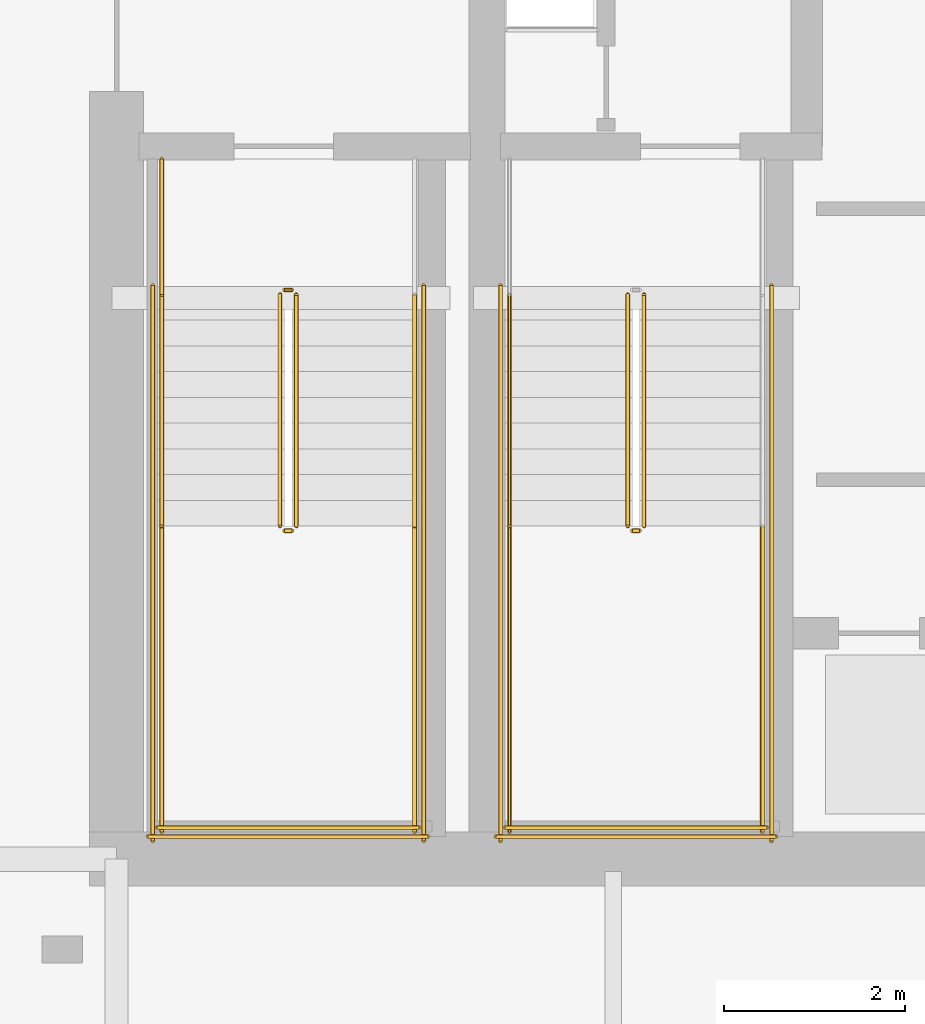
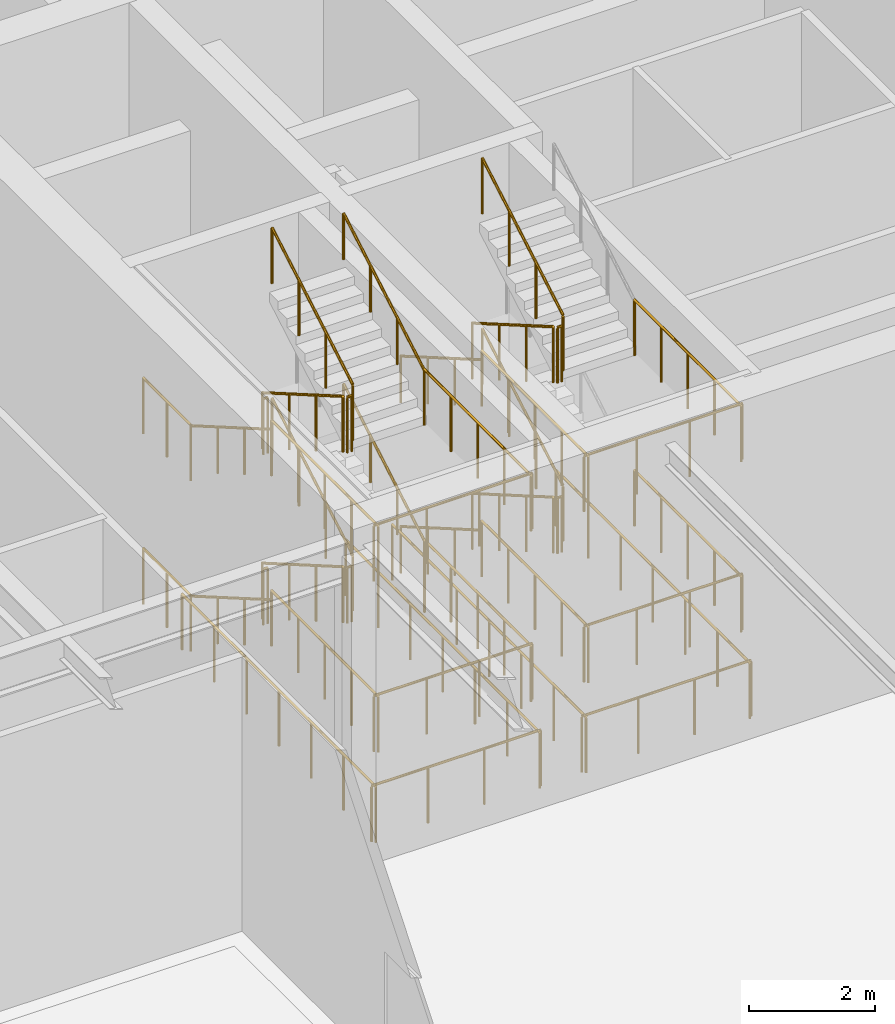
# One storey, part 10 of 15: 40 railings.
"""IFC4 building model written with IfcOpenShell, lengths in metres."""

from ifc_helpers import new_model, si_unit, direction, frame, origin, origin_2d, place, context, subcontext, project, spatial, circle, extrude, material, type_object, element, save


model = new_model("IFC4")

# Units and contexts
model_context = context("Model", 3, precision=1e-05, world=origin(), true_north=direction((0.0, 1.0)))
body_context = subcontext(model_context, "Body", "Model", "MODEL_VIEW")
ifc_project = project(units=[si_unit("LENGTHUNIT", "METRE"), si_unit("AREAUNIT", "SQUARE_METRE"), si_unit("VOLUMEUNIT", "CUBIC_METRE"), si_unit("PLANEANGLEUNIT", "RADIAN"), si_unit("MASSUNIT", "GRAM", prefix="KILO")], contexts=[model_context])

# Site, building, storey
site_placement = place(None, origin())
site = spatial("IfcSite", under=ifc_project, at=site_placement, CompositionType="ELEMENT")
building_placement = place(site_placement, origin())
building = spatial("IfcBuilding", under=site, at=building_placement, Name="Bramvorn Convention Spire", CompositionType="ELEMENT")
storey_placement = place(building_placement, origin())
storey = spatial("IfcBuildingStorey", under=building, at=storey_placement, Name="L00", CompositionType="ELEMENT", Elevation=0.0)

# Railings
ifc_material_1 = material(Name="Painted Steel Balustrade & Guardrail", Category="steel")
railing_type_1 = type_object("IfcRailingType", Name="RL-STAIR-GUARD-1100", PredefinedType="GUARDRAIL", material=ifc_material_1)
railing_1_placement = place(storey_placement, frame((28.81005859375, 25.050048828125, 0.1650390625)))
element("IfcRailing", 1, at=railing_1_placement, inside=storey, type_object=railing_type_1, Name="L00 ST1 stair guard 1", PredefinedType="GUARDRAIL", context=body_context, shape_type="SweptSolid", body=[
    extrude(circle(Radius=0.02392578125, at=origin_2d()), frame((0.0, 0.0, 1.076171875), z_axis=(0.0, -0.865441324677, 0.50101029285), x_axis=(1.0, 0.0, 0.0)), (0.0, 0.0, 1.0), 2.963623046875),
    extrude(circle(Radius=0.02099609375, at=origin_2d()), origin(), (0.0, 0.0, 1.0), 1.052001953125),
    extrude(circle(Radius=0.02099609375, at=origin_2d()), frame((0.0, -0.85498046875, 0.494873046875)), (0.0, 0.0, 1.0), 1.052001953125),
    extrude(circle(Radius=0.02099609375, at=origin_2d()), frame((0.0, -1.7099609375, 0.989990234375)), (0.0, 0.0, 1.0), 1.052001953125),
    extrude(circle(Radius=0.02099609375, at=origin_2d()), frame((0.0, -2.56494140625, 1.48486328125)), (0.0, 0.0, 1.0), 1.052001953125),
])
railing_2_placement = place(storey_placement, frame((28.860107421875, 22.43505859375, 1.64990234375)))
element("IfcRailing", 2, at=railing_2_placement, inside=storey, type_object=railing_type_1, Name="L00 ST1 stair guard 2", PredefinedType="GUARDRAIL", context=body_context, shape_type="SweptSolid", body=[
    extrude(circle(Radius=0.02392578125, at=origin_2d()), frame((0.0, 0.0, 1.076171875), z_axis=(1.0, 0.0, 0.0), x_axis=(0.0, 1.0, 0.0)), (0.0, 0.0, 1.0), 0.079833984375),
    extrude(circle(Radius=0.02099609375, at=origin_2d()), origin(), (0.0, 0.0, 1.0), 1.052001953125),
    extrude(circle(Radius=0.02099609375, at=origin_2d()), frame((0.079833984375, 0.0, 0.0)), (0.0, 0.0, 1.0), 1.052001953125),
])
for number, where, name in (
    (3, (27.5, 22.485107421875, 1.64990234375), "L00 ST1 stair guard 3"),
    (4, (30.300048828125, 22.485107421875, 1.64990234375), "L00 ST1 stair guard 4"),
):
    element("IfcRailing", number, at=place(storey_placement, frame(where)), inside=storey, type_object=railing_type_1, Name=name, PredefinedType="GUARDRAIL", context=body_context, shape_type="SweptSolid", body=[
        extrude(circle(Radius=0.02392578125, at=origin_2d()), frame((0.0, 0.0, 1.076171875), z_axis=(0.0, -1.0, 0.0), x_axis=(1.0, 0.0, 0.0)), (0.0, 0.0, 1.0), 3.385009765625),
        extrude(circle(Radius=0.02099609375, at=origin_2d()), origin(), (0.0, 0.0, 1.0), 1.052001953125),
        extrude(circle(Radius=0.02099609375, at=origin_2d()), frame((0.0, -0.84619140625, 0.0)), (0.0, 0.0, 1.0), 1.052001953125),
        extrude(circle(Radius=0.02099609375, at=origin_2d()), frame((0.0, -1.6923828125, 0.0)), (0.0, 0.0, 1.0), 1.052001953125),
        extrude(circle(Radius=0.02099609375, at=origin_2d()), frame((0.0, -2.538818359375, 0.0)), (0.0, 0.0, 1.0), 1.052001953125),
        extrude(circle(Radius=0.02099609375, at=origin_2d()), frame((0.0, -3.385009765625, 0.0)), (0.0, 0.0, 1.0), 1.052001953125),
    ])
railing_3_placement = place(storey_placement, frame((27.449951171875, 19.14990234375, 1.64990234375)))
element("IfcRailing", 5, at=railing_3_placement, inside=storey, type_object=railing_type_1, Name="L00 ST1 stair guard 5", PredefinedType="GUARDRAIL", context=body_context, shape_type="SweptSolid", body=[
    extrude(circle(Radius=0.02392578125, at=origin_2d()), frame((0.0, 0.0, 1.076171875), z_axis=(1.0, 0.0, 0.0), x_axis=(0.0, 1.0, 0.0)), (0.0, 0.0, 1.0), 2.900146484375),
    extrude(circle(Radius=0.02099609375, at=origin_2d()), origin(), (0.0, 0.0, 1.0), 1.052001953125),
    extrude(circle(Radius=0.02099609375, at=origin_2d()), frame((0.966796875, 0.0, 0.0)), (0.0, 0.0, 1.0), 1.052001953125),
    extrude(circle(Radius=0.02099609375, at=origin_2d()), frame((1.933349609375, 0.0, 0.0)), (0.0, 0.0, 1.0), 1.052001953125),
    extrude(circle(Radius=0.02099609375, at=origin_2d()), frame((2.900146484375, 0.0, 0.0)), (0.0, 0.0, 1.0), 1.052001953125),
])
railing_4_placement = place(storey_placement, frame((28.989990234375, 22.485107421875, 1.81494140625)))
element("IfcRailing", 6, at=railing_4_placement, inside=storey, type_object=railing_type_1, Name="L00 ST1 stair guard 6", PredefinedType="GUARDRAIL", context=body_context, shape_type="SweptSolid", body=[
    extrude(circle(Radius=0.02392578125, at=origin_2d()), frame((0.0, 0.0, 1.076171875), z_axis=(0.0, 0.865405606168, 0.501071987656), x_axis=(-1.0, 0.0, 0.0)), (0.0, 0.0, 1.0), 2.9638671875),
    extrude(circle(Radius=0.02099609375, at=origin_2d()), origin(), (0.0, 0.0, 1.0), 1.052001953125),
    extrude(circle(Radius=0.02099609375, at=origin_2d()), frame((0.0, 0.85498046875, 0.4951171875)), (0.0, 0.0, 1.0), 1.052001953125),
    extrude(circle(Radius=0.02099609375, at=origin_2d()), frame((0.0, 1.7099609375, 0.989990234375)), (0.0, 0.0, 1.0), 1.052001953125),
    extrude(circle(Radius=0.02099609375, at=origin_2d()), frame((0.0, 2.56494140625, 1.485107421875)), (0.0, 0.0, 1.0), 1.052001953125),
])
railing_5_placement = place(storey_placement, frame((28.860107421875, 25.10009765625, 3.300048828125)))
element("IfcRailing", 7, at=railing_5_placement, inside=storey, type_object=railing_type_1, Name="L00 ST1 stair guard 7", PredefinedType="GUARDRAIL", context=body_context, shape_type="SweptSolid", body=[
    extrude(circle(Radius=0.02392578125, at=origin_2d()), frame((0.0, 0.0, 1.076171875), z_axis=(1.0, 0.0, 0.0), x_axis=(0.0, 1.0, 0.0)), (0.0, 0.0, 1.0), 0.079833984375),
    extrude(circle(Radius=0.02099609375, at=origin_2d()), origin(), (0.0, 0.0, 1.0), 1.052001953125),
    extrude(circle(Radius=0.02099609375, at=origin_2d()), frame((0.079833984375, 0.0, 0.0)), (0.0, 0.0, 1.0), 1.052001953125),
])
railing_6_placement = place(storey_placement, frame((27.5, 26.550048828125, 3.300048828125)))
element("IfcRailing", 8, at=railing_6_placement, inside=storey, type_object=railing_type_1, Name="L00 ST1 stair guard 8", PredefinedType="GUARDRAIL", context=body_context, shape_type="SweptSolid", body=[
    extrude(circle(Radius=0.02392578125, at=origin_2d()), frame((0.0, 0.0, 1.076171875), z_axis=(0.0, -1.0, 0.0), x_axis=(1.0, 0.0, 0.0)), (0.0, 0.0, 1.0), 1.5),
    extrude(circle(Radius=0.02099609375, at=origin_2d()), origin(), (0.0, 0.0, 1.0), 1.052001953125),
    extrude(circle(Radius=0.02099609375, at=origin_2d()), frame((0.0, -0.75, 0.0)), (0.0, 0.0, 1.0), 1.052001953125),
    extrude(circle(Radius=0.02099609375, at=origin_2d()), frame((0.0, -1.5, 0.0)), (0.0, 0.0, 1.0), 1.052001953125),
])
railing_7_placement = place(storey_placement, frame((28.81005859375, 25.050048828125, 3.465087890625)))
element("IfcRailing", 9, at=railing_7_placement, inside=storey, type_object=railing_type_1, Name="L00 ST1 stair guard 10", PredefinedType="GUARDRAIL", context=body_context, shape_type="SweptSolid", body=[
    extrude(circle(Radius=0.02392578125, at=origin_2d()), frame((0.0, 0.0, 1.076171875), z_axis=(0.0, -0.865441324677, 0.50101029285), x_axis=(1.0, 0.0, 0.0)), (0.0, 0.0, 1.0), 2.963623046875),
    extrude(circle(Radius=0.02099609375, at=origin_2d()), origin(), (0.0, 0.0, 1.0), 1.052001953125),
    extrude(circle(Radius=0.02099609375, at=origin_2d()), frame((0.0, -0.85498046875, 0.494873046875)), (0.0, 0.0, 1.0), 1.052001953125),
    extrude(circle(Radius=0.02099609375, at=origin_2d()), frame((0.0, -1.7099609375, 0.989990234375)), (0.0, 0.0, 1.0), 1.052001953125),
    extrude(circle(Radius=0.02099609375, at=origin_2d()), frame((0.0, -2.56494140625, 1.48486328125)), (0.0, 0.0, 1.0), 1.052001953125),
])
railing_8_placement = place(storey_placement, frame((28.860107421875, 22.43505859375, 4.949951171875)))
element("IfcRailing", 10, at=railing_8_placement, inside=storey, type_object=railing_type_1, Name="L00 ST1 stair guard 11", PredefinedType="GUARDRAIL", context=body_context, shape_type="SweptSolid", body=[
    extrude(circle(Radius=0.02392578125, at=origin_2d()), frame((0.0, 0.0, 1.076171875), z_axis=(1.0, 0.0, 0.0), x_axis=(0.0, 1.0, 0.0)), (0.0, 0.0, 1.0), 0.079833984375),
    extrude(circle(Radius=0.02099609375, at=origin_2d()), origin(), (0.0, 0.0, 1.0), 1.052001953125),
    extrude(circle(Radius=0.02099609375, at=origin_2d()), frame((0.079833984375, 0.0, 0.0)), (0.0, 0.0, 1.0), 1.052001953125),
])
for number, where, name in (
    (11, (27.5, 22.485107421875, 4.949951171875), "L00 ST1 stair guard 12"),
    (12, (30.300048828125, 22.485107421875, 4.949951171875), "L00 ST1 stair guard 13"),
):
    element("IfcRailing", number, at=place(storey_placement, frame(where)), inside=storey, type_object=railing_type_1, Name=name, PredefinedType="GUARDRAIL", context=body_context, shape_type="SweptSolid", body=[
        extrude(circle(Radius=0.02392578125, at=origin_2d()), frame((0.0, 0.0, 1.076171875), z_axis=(0.0, -1.0, 0.0), x_axis=(1.0, 0.0, 0.0)), (0.0, 0.0, 1.0), 3.385009765625),
        extrude(circle(Radius=0.02099609375, at=origin_2d()), origin(), (0.0, 0.0, 1.0), 1.052001953125),
        extrude(circle(Radius=0.02099609375, at=origin_2d()), frame((0.0, -0.84619140625, 0.0)), (0.0, 0.0, 1.0), 1.052001953125),
        extrude(circle(Radius=0.02099609375, at=origin_2d()), frame((0.0, -1.6923828125, 0.0)), (0.0, 0.0, 1.0), 1.052001953125),
        extrude(circle(Radius=0.02099609375, at=origin_2d()), frame((0.0, -2.538818359375, 0.0)), (0.0, 0.0, 1.0), 1.052001953125),
        extrude(circle(Radius=0.02099609375, at=origin_2d()), frame((0.0, -3.385009765625, 0.0)), (0.0, 0.0, 1.0), 1.052001953125),
    ])
railing_9_placement = place(storey_placement, frame((27.449951171875, 19.14990234375, 4.949951171875)))
element("IfcRailing", 13, at=railing_9_placement, inside=storey, type_object=railing_type_1, Name="L00 ST1 stair guard 14", PredefinedType="GUARDRAIL", context=body_context, shape_type="SweptSolid", body=[
    extrude(circle(Radius=0.02392578125, at=origin_2d()), frame((0.0, 0.0, 1.076171875), z_axis=(1.0, 0.0, 0.0), x_axis=(0.0, 1.0, 0.0)), (0.0, 0.0, 1.0), 2.900146484375),
    extrude(circle(Radius=0.02099609375, at=origin_2d()), origin(), (0.0, 0.0, 1.0), 1.052001953125),
    extrude(circle(Radius=0.02099609375, at=origin_2d()), frame((0.966796875, 0.0, 0.0)), (0.0, 0.0, 1.0), 1.052001953125),
    extrude(circle(Radius=0.02099609375, at=origin_2d()), frame((1.933349609375, 0.0, 0.0)), (0.0, 0.0, 1.0), 1.052001953125),
    extrude(circle(Radius=0.02099609375, at=origin_2d()), frame((2.900146484375, 0.0, 0.0)), (0.0, 0.0, 1.0), 1.052001953125),
])
railing_10_placement = place(storey_placement, frame((28.989990234375, 22.485107421875, 5.114990234375)))
element("IfcRailing", 14, at=railing_10_placement, inside=storey, type_object=railing_type_1, Name="L00 ST1 stair guard 15", PredefinedType="GUARDRAIL", context=body_context, shape_type="SweptSolid", body=[
    extrude(circle(Radius=0.02392578125, at=origin_2d()), frame((0.0, 0.0, 1.076171875), z_axis=(0.0, 0.865405606168, 0.501071987656), x_axis=(-1.0, 0.0, 0.0)), (0.0, 0.0, 1.0), 2.9638671875),
    extrude(circle(Radius=0.02099609375, at=origin_2d()), origin(), (0.0, 0.0, 1.0), 1.052001953125),
    extrude(circle(Radius=0.02099609375, at=origin_2d()), frame((0.0, 0.85498046875, 0.4951171875)), (0.0, 0.0, 1.0), 1.052001953125),
    extrude(circle(Radius=0.02099609375, at=origin_2d()), frame((0.0, 1.7099609375, 0.989990234375)), (0.0, 0.0, 1.0), 1.052001953125),
    extrude(circle(Radius=0.02099609375, at=origin_2d()), frame((0.0, 2.56494140625, 1.485107421875)), (0.0, 0.0, 1.0), 1.052001953125),
])
railing_11_placement = place(storey_placement, frame((28.860107421875, 25.10009765625, 0.0)))
element("IfcRailing", 15, at=railing_11_placement, inside=storey, type_object=railing_type_1, Name="L00 ST1 stair guard 16", PredefinedType="GUARDRAIL", context=body_context, shape_type="SweptSolid", body=[
    extrude(circle(Radius=0.02392578125, at=origin_2d()), frame((0.0, 0.0, 1.076171875), z_axis=(1.0, 0.0, 0.0), x_axis=(0.0, 1.0, 0.0)), (0.0, 0.0, 1.0), 0.079833984375),
    extrude(circle(Radius=0.02099609375, at=origin_2d()), origin(), (0.0, 0.0, 1.0), 1.052001953125),
    extrude(circle(Radius=0.02099609375, at=origin_2d()), frame((0.079833984375, 0.0, 0.0)), (0.0, 0.0, 1.0), 1.052001953125),
])
railing_12_placement = place(storey_placement, frame((27.5, 26.550048828125, 0.0)))
element("IfcRailing", 16, at=railing_12_placement, inside=storey, type_object=railing_type_1, Name="L00 ST1 stair guard 17", PredefinedType="GUARDRAIL", context=body_context, shape_type="SweptSolid", body=[
    extrude(circle(Radius=0.02392578125, at=origin_2d()), frame((0.0, 0.0, 1.076171875), z_axis=(0.0, -1.0, 0.0), x_axis=(1.0, 0.0, 0.0)), (0.0, 0.0, 1.0), 1.5),
    extrude(circle(Radius=0.02099609375, at=origin_2d()), origin(), (0.0, 0.0, 1.0), 1.052001953125),
    extrude(circle(Radius=0.02099609375, at=origin_2d()), frame((0.0, -0.75, 0.0)), (0.0, 0.0, 1.0), 1.052001953125),
    extrude(circle(Radius=0.02099609375, at=origin_2d()), frame((0.0, -1.5, 0.0)), (0.0, 0.0, 1.0), 1.052001953125),
])
for number, where, name in (
    (17, (27.39990234375, 25.14990234375, 0.0), "L00 ST1 stair guard 19"),
    (18, (30.39990234375, 25.14990234375, 0.0), "L00 ST1 stair guard 20"),
):
    element("IfcRailing", number, at=place(storey_placement, frame(where)), inside=storey, type_object=railing_type_1, Name=name, PredefinedType="GUARDRAIL", context=body_context, shape_type="SweptSolid", body=[
        extrude(circle(Radius=0.02392578125, at=origin_2d()), frame((0.0, 0.0, 1.076171875), z_axis=(0.0, -1.0, 0.0), x_axis=(1.0, 0.0, 0.0)), (0.0, 0.0, 1.0), 6.14990234375),
        extrude(circle(Radius=0.02099609375, at=origin_2d()), origin(), (0.0, 0.0, 1.0), 1.052001953125),
        extrude(circle(Radius=0.02099609375, at=origin_2d()), frame((0.0, -1.02490234375, 0.0)), (0.0, 0.0, 1.0), 1.052001953125),
        extrude(circle(Radius=0.02099609375, at=origin_2d()), frame((0.0, -2.050048828125, 0.0)), (0.0, 0.0, 1.0), 1.052001953125),
        extrude(circle(Radius=0.02099609375, at=origin_2d()), frame((0.0, -3.074951171875, 0.0)), (0.0, 0.0, 1.0), 1.052001953125),
        extrude(circle(Radius=0.02099609375, at=origin_2d()), frame((0.0, -4.099853515625, 0.0)), (0.0, 0.0, 1.0), 1.052001953125),
        extrude(circle(Radius=0.02099609375, at=origin_2d()), frame((0.0, -5.125, 0.0)), (0.0, 0.0, 1.0), 1.052001953125),
        extrude(circle(Radius=0.02099609375, at=origin_2d()), frame((0.0, -6.14990234375, 0.0)), (0.0, 0.0, 1.0), 1.052001953125),
    ])
railing_13_placement = place(storey_placement, frame((27.35009765625, 19.050048828125, 0.0)))
element("IfcRailing", 19, at=railing_13_placement, inside=storey, type_object=railing_type_1, Name="L00 ST1 stair guard 21", PredefinedType="GUARDRAIL", context=body_context, shape_type="SweptSolid", body=[
    extrude(circle(Radius=0.02392578125, at=origin_2d()), frame((0.0, 0.0, 1.076171875), z_axis=(1.0, 0.0, 0.0), x_axis=(0.0, 1.0, 0.0)), (0.0, 0.0, 1.0), 3.099853515625),
    extrude(circle(Radius=0.02099609375, at=origin_2d()), origin(), (0.0, 0.0, 1.0), 1.052001953125),
    extrude(circle(Radius=0.02099609375, at=origin_2d()), frame((1.033203125, 0.0, 0.0)), (0.0, 0.0, 1.0), 1.052001953125),
    extrude(circle(Radius=0.02099609375, at=origin_2d()), frame((2.066650390625, 0.0, 0.0)), (0.0, 0.0, 1.0), 1.052001953125),
    extrude(circle(Radius=0.02099609375, at=origin_2d()), frame((3.099853515625, 0.0, 0.0)), (0.0, 0.0, 1.0), 1.052001953125),
])
railing_14_placement = place(storey_placement, frame((32.659912109375, 25.050048828125, 0.1650390625)))
element("IfcRailing", 20, at=railing_14_placement, inside=storey, type_object=railing_type_1, Name="L00 ST3 stair guard 1", PredefinedType="GUARDRAIL", context=body_context, shape_type="SweptSolid", body=[
    extrude(circle(Radius=0.02392578125, at=origin_2d()), frame((0.0, 0.0, 1.076171875), z_axis=(0.0, -0.865441324677, 0.50101029285), x_axis=(1.0, 0.0, 0.0)), (0.0, 0.0, 1.0), 2.963623046875),
    extrude(circle(Radius=0.02099609375, at=origin_2d()), origin(), (0.0, 0.0, 1.0), 1.052001953125),
    extrude(circle(Radius=0.02099609375, at=origin_2d()), frame((0.0, -0.85498046875, 0.494873046875)), (0.0, 0.0, 1.0), 1.052001953125),
    extrude(circle(Radius=0.02099609375, at=origin_2d()), frame((0.0, -1.7099609375, 0.989990234375)), (0.0, 0.0, 1.0), 1.052001953125),
    extrude(circle(Radius=0.02099609375, at=origin_2d()), frame((0.0, -2.56494140625, 1.48486328125)), (0.0, 0.0, 1.0), 1.052001953125),
])
railing_15_placement = place(storey_placement, frame((32.7099609375, 22.43505859375, 1.64990234375)))
element("IfcRailing", 21, at=railing_15_placement, inside=storey, type_object=railing_type_1, Name="L00 ST3 stair guard 2", PredefinedType="GUARDRAIL", context=body_context, shape_type="SweptSolid", body=[
    extrude(circle(Radius=0.02392578125, at=origin_2d()), frame((0.0, 0.0, 1.076171875), z_axis=(1.0, 0.0, 0.0), x_axis=(0.0, 1.0, 0.0)), (0.0, 0.0, 1.0), 0.080078125),
    extrude(circle(Radius=0.02099609375, at=origin_2d()), origin(), (0.0, 0.0, 1.0), 1.052001953125),
    extrude(circle(Radius=0.02099609375, at=origin_2d()), frame((0.080078125, 0.0, 0.0)), (0.0, 0.0, 1.0), 1.052001953125),
])
for number, where, name in (
    (22, (31.35009765625, 22.485107421875, 1.64990234375), "L00 ST3 stair guard 3"),
    (23, (34.14990234375, 22.485107421875, 1.64990234375), "L00 ST3 stair guard 4"),
):
    element("IfcRailing", number, at=place(storey_placement, frame(where)), inside=storey, type_object=railing_type_1, Name=name, PredefinedType="GUARDRAIL", context=body_context, shape_type="SweptSolid", body=[
        extrude(circle(Radius=0.02392578125, at=origin_2d()), frame((0.0, 0.0, 1.076171875), z_axis=(0.0, -1.0, 0.0), x_axis=(1.0, 0.0, 0.0)), (0.0, 0.0, 1.0), 3.385009765625),
        extrude(circle(Radius=0.02099609375, at=origin_2d()), origin(), (0.0, 0.0, 1.0), 1.052001953125),
        extrude(circle(Radius=0.02099609375, at=origin_2d()), frame((0.0, -0.84619140625, 0.0)), (0.0, 0.0, 1.0), 1.052001953125),
        extrude(circle(Radius=0.02099609375, at=origin_2d()), frame((0.0, -1.6923828125, 0.0)), (0.0, 0.0, 1.0), 1.052001953125),
        extrude(circle(Radius=0.02099609375, at=origin_2d()), frame((0.0, -2.538818359375, 0.0)), (0.0, 0.0, 1.0), 1.052001953125),
        extrude(circle(Radius=0.02099609375, at=origin_2d()), frame((0.0, -3.385009765625, 0.0)), (0.0, 0.0, 1.0), 1.052001953125),
    ])
railing_16_placement = place(storey_placement, frame((31.300048828125, 19.14990234375, 1.64990234375)))
element("IfcRailing", 24, at=railing_16_placement, inside=storey, type_object=railing_type_1, Name="L00 ST3 stair guard 5", PredefinedType="GUARDRAIL", context=body_context, shape_type="SweptSolid", body=[
    extrude(circle(Radius=0.02392578125, at=origin_2d()), frame((0.0, 0.0, 1.076171875), z_axis=(1.0, 0.0, 0.0), x_axis=(0.0, 1.0, 0.0)), (0.0, 0.0, 1.0), 2.89990234375),
    extrude(circle(Radius=0.02099609375, at=origin_2d()), origin(), (0.0, 0.0, 1.0), 1.052001953125),
    extrude(circle(Radius=0.02099609375, at=origin_2d()), frame((0.966552734375, 0.0, 0.0)), (0.0, 0.0, 1.0), 1.052001953125),
    extrude(circle(Radius=0.02099609375, at=origin_2d()), frame((1.933349609375, 0.0, 0.0)), (0.0, 0.0, 1.0), 1.052001953125),
    extrude(circle(Radius=0.02099609375, at=origin_2d()), frame((2.89990234375, 0.0, 0.0)), (0.0, 0.0, 1.0), 1.052001953125),
])
railing_17_placement = place(storey_placement, frame((32.840087890625, 22.485107421875, 1.81494140625)))
element("IfcRailing", 25, at=railing_17_placement, inside=storey, type_object=railing_type_1, Name="L00 ST3 stair guard 6", PredefinedType="GUARDRAIL", context=body_context, shape_type="SweptSolid", body=[
    extrude(circle(Radius=0.02392578125, at=origin_2d()), frame((0.0, 0.0, 1.076171875), z_axis=(0.0, 0.865405606168, 0.501071987656), x_axis=(-1.0, 0.0, 0.0)), (0.0, 0.0, 1.0), 2.9638671875),
    extrude(circle(Radius=0.02099609375, at=origin_2d()), origin(), (0.0, 0.0, 1.0), 1.052001953125),
    extrude(circle(Radius=0.02099609375, at=origin_2d()), frame((0.0, 0.85498046875, 0.4951171875)), (0.0, 0.0, 1.0), 1.052001953125),
    extrude(circle(Radius=0.02099609375, at=origin_2d()), frame((0.0, 1.7099609375, 0.989990234375)), (0.0, 0.0, 1.0), 1.052001953125),
    extrude(circle(Radius=0.02099609375, at=origin_2d()), frame((0.0, 2.56494140625, 1.485107421875)), (0.0, 0.0, 1.0), 1.052001953125),
])
railing_18_placement = place(storey_placement, frame((32.659912109375, 25.050048828125, 3.465087890625)))
element("IfcRailing", 26, at=railing_18_placement, inside=storey, type_object=railing_type_1, Name="L00 ST3 stair guard 10", PredefinedType="GUARDRAIL", context=body_context, shape_type="SweptSolid", body=[
    extrude(circle(Radius=0.02392578125, at=origin_2d()), frame((0.0, 0.0, 1.076171875), z_axis=(0.0, -0.865441324677, 0.50101029285), x_axis=(1.0, 0.0, 0.0)), (0.0, 0.0, 1.0), 2.963623046875),
    extrude(circle(Radius=0.02099609375, at=origin_2d()), origin(), (0.0, 0.0, 1.0), 1.052001953125),
    extrude(circle(Radius=0.02099609375, at=origin_2d()), frame((0.0, -0.85498046875, 0.494873046875)), (0.0, 0.0, 1.0), 1.052001953125),
    extrude(circle(Radius=0.02099609375, at=origin_2d()), frame((0.0, -1.7099609375, 0.989990234375)), (0.0, 0.0, 1.0), 1.052001953125),
    extrude(circle(Radius=0.02099609375, at=origin_2d()), frame((0.0, -2.56494140625, 1.48486328125)), (0.0, 0.0, 1.0), 1.052001953125),
])
railing_19_placement = place(storey_placement, frame((32.7099609375, 22.43505859375, 4.949951171875)))
element("IfcRailing", 27, at=railing_19_placement, inside=storey, type_object=railing_type_1, Name="L00 ST3 stair guard 11", PredefinedType="GUARDRAIL", context=body_context, shape_type="SweptSolid", body=[
    extrude(circle(Radius=0.02392578125, at=origin_2d()), frame((0.0, 0.0, 1.076171875), z_axis=(1.0, 0.0, 0.0), x_axis=(0.0, 1.0, 0.0)), (0.0, 0.0, 1.0), 0.080078125),
    extrude(circle(Radius=0.02099609375, at=origin_2d()), origin(), (0.0, 0.0, 1.0), 1.052001953125),
    extrude(circle(Radius=0.02099609375, at=origin_2d()), frame((0.080078125, 0.0, 0.0)), (0.0, 0.0, 1.0), 1.052001953125),
])
for number, where, name in (
    (28, (31.35009765625, 22.485107421875, 4.949951171875), "L00 ST3 stair guard 12"),
    (29, (34.14990234375, 22.485107421875, 4.949951171875), "L00 ST3 stair guard 13"),
):
    element("IfcRailing", number, at=place(storey_placement, frame(where)), inside=storey, type_object=railing_type_1, Name=name, PredefinedType="GUARDRAIL", context=body_context, shape_type="SweptSolid", body=[
        extrude(circle(Radius=0.02392578125, at=origin_2d()), frame((0.0, 0.0, 1.076171875), z_axis=(0.0, -1.0, 0.0), x_axis=(1.0, 0.0, 0.0)), (0.0, 0.0, 1.0), 3.385009765625),
        extrude(circle(Radius=0.02099609375, at=origin_2d()), origin(), (0.0, 0.0, 1.0), 1.052001953125),
        extrude(circle(Radius=0.02099609375, at=origin_2d()), frame((0.0, -0.84619140625, 0.0)), (0.0, 0.0, 1.0), 1.052001953125),
        extrude(circle(Radius=0.02099609375, at=origin_2d()), frame((0.0, -1.6923828125, 0.0)), (0.0, 0.0, 1.0), 1.052001953125),
        extrude(circle(Radius=0.02099609375, at=origin_2d()), frame((0.0, -2.538818359375, 0.0)), (0.0, 0.0, 1.0), 1.052001953125),
        extrude(circle(Radius=0.02099609375, at=origin_2d()), frame((0.0, -3.385009765625, 0.0)), (0.0, 0.0, 1.0), 1.052001953125),
    ])
railing_20_placement = place(storey_placement, frame((31.300048828125, 19.14990234375, 4.949951171875)))
element("IfcRailing", 30, at=railing_20_placement, inside=storey, type_object=railing_type_1, Name="L00 ST3 stair guard 14", PredefinedType="GUARDRAIL", context=body_context, shape_type="SweptSolid", body=[
    extrude(circle(Radius=0.02392578125, at=origin_2d()), frame((0.0, 0.0, 1.076171875), z_axis=(1.0, 0.0, 0.0), x_axis=(0.0, 1.0, 0.0)), (0.0, 0.0, 1.0), 2.89990234375),
    extrude(circle(Radius=0.02099609375, at=origin_2d()), origin(), (0.0, 0.0, 1.0), 1.052001953125),
    extrude(circle(Radius=0.02099609375, at=origin_2d()), frame((0.966552734375, 0.0, 0.0)), (0.0, 0.0, 1.0), 1.052001953125),
    extrude(circle(Radius=0.02099609375, at=origin_2d()), frame((1.933349609375, 0.0, 0.0)), (0.0, 0.0, 1.0), 1.052001953125),
    extrude(circle(Radius=0.02099609375, at=origin_2d()), frame((2.89990234375, 0.0, 0.0)), (0.0, 0.0, 1.0), 1.052001953125),
])
railing_21_placement = place(storey_placement, frame((32.840087890625, 22.485107421875, 5.114990234375)))
element("IfcRailing", 31, at=railing_21_placement, inside=storey, type_object=railing_type_1, Name="L00 ST3 stair guard 15", PredefinedType="GUARDRAIL", context=body_context, shape_type="SweptSolid", body=[
    extrude(circle(Radius=0.02392578125, at=origin_2d()), frame((0.0, 0.0, 1.076171875), z_axis=(0.0, 0.865405606168, 0.501071987656), x_axis=(-1.0, 0.0, 0.0)), (0.0, 0.0, 1.0), 2.9638671875),
    extrude(circle(Radius=0.02099609375, at=origin_2d()), origin(), (0.0, 0.0, 1.0), 1.052001953125),
    extrude(circle(Radius=0.02099609375, at=origin_2d()), frame((0.0, 0.85498046875, 0.4951171875)), (0.0, 0.0, 1.0), 1.052001953125),
    extrude(circle(Radius=0.02099609375, at=origin_2d()), frame((0.0, 1.7099609375, 0.989990234375)), (0.0, 0.0, 1.0), 1.052001953125),
    extrude(circle(Radius=0.02099609375, at=origin_2d()), frame((0.0, 2.56494140625, 1.485107421875)), (0.0, 0.0, 1.0), 1.052001953125),
])
for number, where, name in (
    (32, (31.25, 25.14990234375, 0.0), "L00 ST3 stair guard 19"),
    (33, (34.25, 25.14990234375, 0.0), "L00 ST3 stair guard 20"),
):
    element("IfcRailing", number, at=place(storey_placement, frame(where)), inside=storey, type_object=railing_type_1, Name=name, PredefinedType="GUARDRAIL", context=body_context, shape_type="SweptSolid", body=[
        extrude(circle(Radius=0.02392578125, at=origin_2d()), frame((0.0, 0.0, 1.076171875), z_axis=(0.0, -1.0, 0.0), x_axis=(1.0, 0.0, 0.0)), (0.0, 0.0, 1.0), 6.14990234375),
        extrude(circle(Radius=0.02099609375, at=origin_2d()), origin(), (0.0, 0.0, 1.0), 1.052001953125),
        extrude(circle(Radius=0.02099609375, at=origin_2d()), frame((0.0, -1.02490234375, 0.0)), (0.0, 0.0, 1.0), 1.052001953125),
        extrude(circle(Radius=0.02099609375, at=origin_2d()), frame((0.0, -2.050048828125, 0.0)), (0.0, 0.0, 1.0), 1.052001953125),
        extrude(circle(Radius=0.02099609375, at=origin_2d()), frame((0.0, -3.074951171875, 0.0)), (0.0, 0.0, 1.0), 1.052001953125),
        extrude(circle(Radius=0.02099609375, at=origin_2d()), frame((0.0, -4.099853515625, 0.0)), (0.0, 0.0, 1.0), 1.052001953125),
        extrude(circle(Radius=0.02099609375, at=origin_2d()), frame((0.0, -5.125, 0.0)), (0.0, 0.0, 1.0), 1.052001953125),
        extrude(circle(Radius=0.02099609375, at=origin_2d()), frame((0.0, -6.14990234375, 0.0)), (0.0, 0.0, 1.0), 1.052001953125),
    ])
railing_22_placement = place(storey_placement, frame((31.199951171875, 19.050048828125, 0.0)))
element("IfcRailing", 34, at=railing_22_placement, inside=storey, type_object=railing_type_1, Name="L00 ST3 stair guard 21", PredefinedType="GUARDRAIL", context=body_context, shape_type="SweptSolid", body=[
    extrude(circle(Radius=0.02392578125, at=origin_2d()), frame((0.0, 0.0, 1.076171875), z_axis=(1.0, 0.0, 0.0), x_axis=(0.0, 1.0, 0.0)), (0.0, 0.0, 1.0), 3.10009765625),
    extrude(circle(Radius=0.02099609375, at=origin_2d()), origin(), (0.0, 0.0, 1.0), 1.052001953125),
    extrude(circle(Radius=0.02099609375, at=origin_2d()), frame((1.033447265625, 0.0, 0.0)), (0.0, 0.0, 1.0), 1.052001953125),
    extrude(circle(Radius=0.02099609375, at=origin_2d()), frame((2.066650390625, 0.0, 0.0)), (0.0, 0.0, 1.0), 1.052001953125),
    extrude(circle(Radius=0.02099609375, at=origin_2d()), frame((3.10009765625, 0.0, 0.0)), (0.0, 0.0, 1.0), 1.052001953125),
])
ifc_material_2 = material(Name="Brushed Bronze Tubular Handrail", Category="aluminium")
railing_type_2 = type_object("IfcRailingType", Name="RL-STAIR-HR-920", PredefinedType="HANDRAIL", material=ifc_material_2)
railing_23_placement = place(storey_placement, frame((27.5, 25.050048828125, 0.1650390625)))
element("IfcRailing", 35, at=railing_23_placement, inside=storey, type_object=railing_type_2, Name="L00 ST1 stair handrail 1", PredefinedType="HANDRAIL", context=body_context, shape_type="SweptSolid", body=[
    extrude(circle(Radius=0.02392578125, at=origin_2d()), frame((0.0, 0.0, 0.89599609375), z_axis=(0.0, -0.865441324677, 0.50101029285), x_axis=(1.0, 0.0, 0.0)), (0.0, 0.0, 1.0), 2.963623046875),
    extrude(circle(Radius=0.02099609375, at=origin_2d()), origin(), (0.0, 0.0, 1.0), 0.871826171875),
    extrude(circle(Radius=0.02099609375, at=origin_2d()), frame((0.0, -0.85498046875, 0.494873046875)), (0.0, 0.0, 1.0), 0.871826171875),
    extrude(circle(Radius=0.02099609375, at=origin_2d()), frame((0.0, -1.7099609375, 0.989990234375)), (0.0, 0.0, 1.0), 0.871826171875),
    extrude(circle(Radius=0.02099609375, at=origin_2d()), frame((0.0, -2.56494140625, 1.48486328125)), (0.0, 0.0, 1.0), 0.871826171875),
])
railing_24_placement = place(storey_placement, frame((30.300048828125, 22.485107421875, 1.81494140625)))
element("IfcRailing", 36, at=railing_24_placement, inside=storey, type_object=railing_type_2, Name="L00 ST1 stair handrail 2", PredefinedType="HANDRAIL", context=body_context, shape_type="SweptSolid", body=[
    extrude(circle(Radius=0.02392578125, at=origin_2d()), frame((0.0, 0.0, 0.89599609375), z_axis=(0.0, 0.865405606168, 0.501071987656), x_axis=(-1.0, 0.0, 0.0)), (0.0, 0.0, 1.0), 2.9638671875),
    extrude(circle(Radius=0.02099609375, at=origin_2d()), origin(), (0.0, 0.0, 1.0), 0.871826171875),
    extrude(circle(Radius=0.02099609375, at=origin_2d()), frame((0.0, 0.85498046875, 0.4951171875)), (0.0, 0.0, 1.0), 0.871826171875),
    extrude(circle(Radius=0.02099609375, at=origin_2d()), frame((0.0, 1.7099609375, 0.989990234375)), (0.0, 0.0, 1.0), 0.871826171875),
    extrude(circle(Radius=0.02099609375, at=origin_2d()), frame((0.0, 2.56494140625, 1.485107421875)), (0.0, 0.0, 1.0), 0.871826171875),
])
railing_25_placement = place(storey_placement, frame((27.5, 25.050048828125, 3.465087890625)))
element("IfcRailing", 37, at=railing_25_placement, inside=storey, type_object=railing_type_2, Name="L00 ST1 stair handrail 3", PredefinedType="HANDRAIL", context=body_context, shape_type="SweptSolid", body=[
    extrude(circle(Radius=0.02392578125, at=origin_2d()), frame((0.0, 0.0, 0.89599609375), z_axis=(0.0, -0.865441324677, 0.50101029285), x_axis=(1.0, 0.0, 0.0)), (0.0, 0.0, 1.0), 2.963623046875),
    extrude(circle(Radius=0.02099609375, at=origin_2d()), origin(), (0.0, 0.0, 1.0), 0.871826171875),
    extrude(circle(Radius=0.02099609375, at=origin_2d()), frame((0.0, -0.85498046875, 0.494873046875)), (0.0, 0.0, 1.0), 0.871826171875),
    extrude(circle(Radius=0.02099609375, at=origin_2d()), frame((0.0, -1.7099609375, 0.989990234375)), (0.0, 0.0, 1.0), 0.871826171875),
    extrude(circle(Radius=0.02099609375, at=origin_2d()), frame((0.0, -2.56494140625, 1.48486328125)), (0.0, 0.0, 1.0), 0.871826171875),
])
railing_26_placement = place(storey_placement, frame((30.300048828125, 22.485107421875, 5.114990234375)))
element("IfcRailing", 38, at=railing_26_placement, inside=storey, type_object=railing_type_2, Name="L00 ST1 stair handrail 4", PredefinedType="HANDRAIL", context=body_context, shape_type="SweptSolid", body=[
    extrude(circle(Radius=0.02392578125, at=origin_2d()), frame((0.0, 0.0, 0.89599609375), z_axis=(0.0, 0.865405606168, 0.501071987656), x_axis=(-1.0, 0.0, 0.0)), (0.0, 0.0, 1.0), 2.9638671875),
    extrude(circle(Radius=0.02099609375, at=origin_2d()), origin(), (0.0, 0.0, 1.0), 0.871826171875),
    extrude(circle(Radius=0.02099609375, at=origin_2d()), frame((0.0, 0.85498046875, 0.4951171875)), (0.0, 0.0, 1.0), 0.871826171875),
    extrude(circle(Radius=0.02099609375, at=origin_2d()), frame((0.0, 1.7099609375, 0.989990234375)), (0.0, 0.0, 1.0), 0.871826171875),
    extrude(circle(Radius=0.02099609375, at=origin_2d()), frame((0.0, 2.56494140625, 1.485107421875)), (0.0, 0.0, 1.0), 0.871826171875),
])
for number, where, name in (
    (39, (31.35009765625, 25.050048828125, 0.1650390625), "L00 ST3 stair handrail 1"),
    (40, (31.35009765625, 25.050048828125, 3.465087890625), "L00 ST3 stair handrail 3"),
):
    element("IfcRailing", number, at=place(storey_placement, frame(where)), inside=storey, type_object=railing_type_2, Name=name, PredefinedType="HANDRAIL", context=body_context, shape_type="SweptSolid", body=[
        extrude(circle(Radius=0.02392578125, at=origin_2d()), frame((0.0, 0.0, 0.89599609375), z_axis=(0.0, -0.865441324677, 0.50101029285), x_axis=(1.0, 0.0, 0.0)), (0.0, 0.0, 1.0), 2.963623046875),
        extrude(circle(Radius=0.02099609375, at=origin_2d()), origin(), (0.0, 0.0, 1.0), 0.871826171875),
        extrude(circle(Radius=0.02099609375, at=origin_2d()), frame((0.0, -0.85498046875, 0.494873046875)), (0.0, 0.0, 1.0), 0.871826171875),
        extrude(circle(Radius=0.02099609375, at=origin_2d()), frame((0.0, -1.7099609375, 0.989990234375)), (0.0, 0.0, 1.0), 0.871826171875),
        extrude(circle(Radius=0.02099609375, at=origin_2d()), frame((0.0, -2.56494140625, 1.48486328125)), (0.0, 0.0, 1.0), 0.871826171875),
    ])

save(model, "model.ifc")
